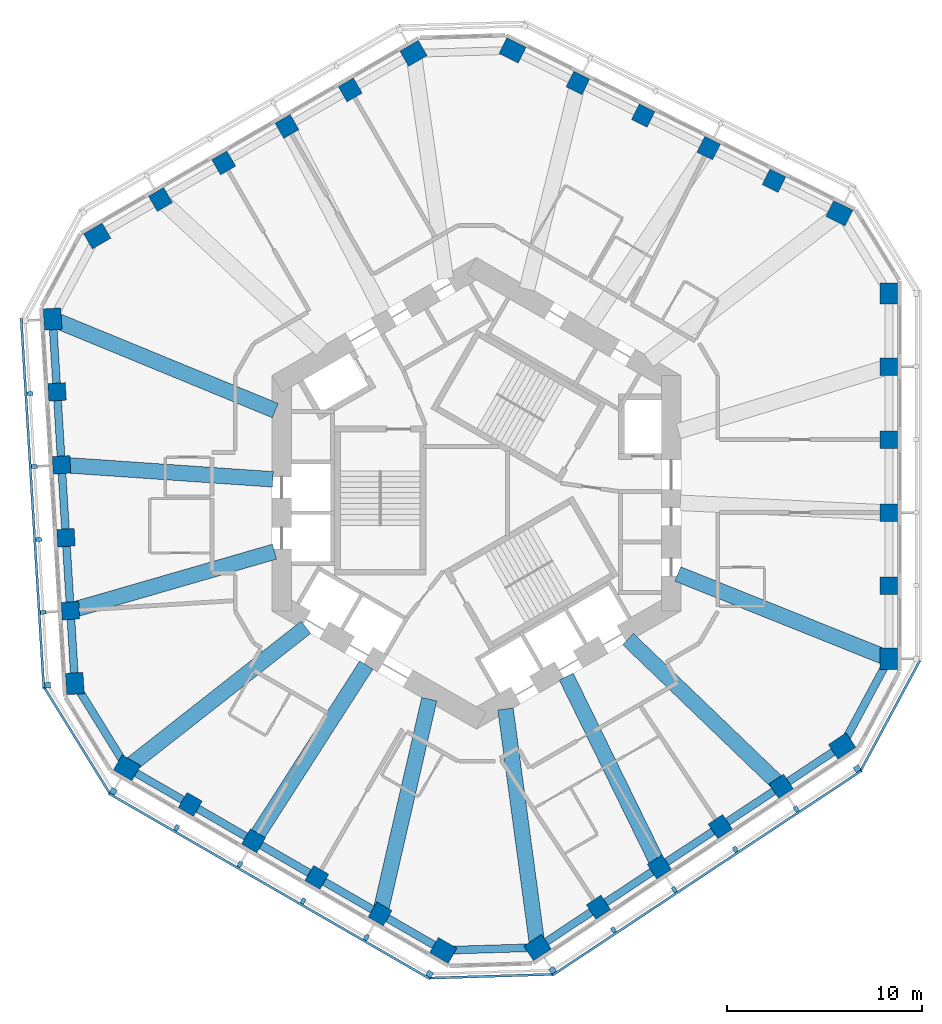
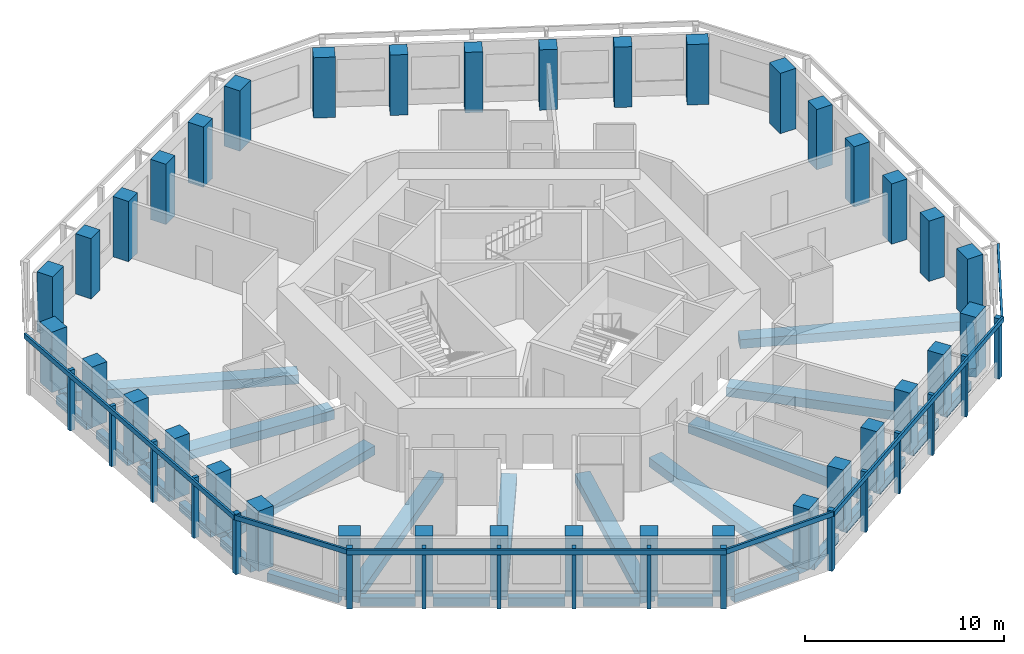
# One storey, part 1 of 11: 36 columns, 28 beams, 23 members, 6 elements without a shape of their own.
"""IFC4 building model written with IfcOpenShell, lengths in metres."""

from ifc_helpers import new_model, si_unit, direction, frame, origin, origin_2d, place, context, subcontext, project, spatial, rectangle, extrude, material, material_profile, profile_set, type_object, element, aggregate, save


model = new_model("IFC4")

# Units and contexts
model_context = context("Model", 3, precision=1e-05, world=origin(), true_north=direction((0.0, 1.0)))
body_context = subcontext(model_context, "Body", "Model", "MODEL_VIEW")
ifc_project = project(units=[si_unit("LENGTHUNIT", "METRE"), si_unit("AREAUNIT", "SQUARE_METRE"), si_unit("VOLUMEUNIT", "CUBIC_METRE"), si_unit("PLANEANGLEUNIT", "RADIAN"), si_unit("MASSUNIT", "GRAM", prefix="KILO")], contexts=[model_context])

# Site, building, storey
site_placement = place(None, origin())
site = spatial("IfcSite", under=ifc_project, at=site_placement, CompositionType="ELEMENT")
building_placement = place(site_placement, origin())
building = spatial("IfcBuilding", under=site, at=building_placement, Name="Vanh Sen Convention Tower", CompositionType="ELEMENT")
storey_placement = place(building_placement, frame((0.0, 0.0, 198.39990234375)))
storey = spatial("IfcBuildingStorey", under=building, at=storey_placement, Name="L49", CompositionType="ELEMENT", Elevation=198.39990234375)

# Columns
ifc_material_1 = material(Name="Concrete C80/95", Category="concrete")
ifc_material_profile_1 = material_profile(ifc_material_1, rectangle(XDim=0.89990234375, YDim=0.89990234375, at=origin_2d()), Name="RC 900X900")
ifc_profile_set_1 = profile_set([ifc_material_profile_1], Name="Concrete C80/95")
column_type_1 = type_object("IfcColumnType", Name="Facade column 900 x 900 C80/95", PredefinedType="COLUMN", material=ifc_profile_set_1)
for number, where, z_axis, x_axis, name in (
    (1, (21.199951171875, -4.746826171875, 0.0), (0.0, 0.0, 1.0), (0.0, 1.0, 0.0), "Facade column 02 L49"),
    (2, (21.199951171875, -0.992919921875, 0.0), (0.0, 0.0, 1.0), (0.0, 1.0, 0.0), "Facade column 03 L49"),
    (3, (21.199951171875, 2.76123046875, 0.0), (0.0, 0.0, 1.0), (0.0, 1.0, 0.0), "Facade column 04 L49"),
    (4, (21.199951171875, 6.515380859375, 0.0), (0.0, 0.0, 1.0), (0.0, 1.0, 0.0), "Facade column 05 L49"),
    (5, (15.290283203125, 16.0654296875, 0.0), (0.0, 0.0, 1.0), (-0.894934361602, 0.44619781311, 0.0), "Facade column 08 L49"),
    (6, (11.9306640625, 17.740478515625, 0.0), (0.0, 0.0, 1.0), (-0.894934361602, 0.44619781311, 0.0), "Facade column 09 L49"),
    (7, (8.57080078125, 19.41552734375, 0.0), (0.0, 0.0, 1.0), (-0.894934361602, 0.44619781311, 0.0), "Facade column 10 L49"),
    (8, (5.211181640625, 21.0908203125, 0.0), (0.0, 0.0, 1.0), (-0.894934361602, 0.44619781311, 0.0), "Facade column 11 L49"),
    (9, (-6.489013671875, 20.733154296875, 0.0), (0.0, 0.0, 1.0), (-0.866025403784, -0.5, 0.0), "Facade column 14 L49"),
    (10, (-9.740234375, 18.856201171875, 0.0), (0.0, 0.0, 1.0), (-0.866025403784, -0.5, 0.0), "Facade column 15 L49"),
    (11, (-12.991455078125, 16.97900390625, 0.0), (0.0, 0.0, 1.0), (-0.866025403784, -0.5, 0.0), "Facade column 16 L49"),
    (12, (-16.242431640625, 15.10205078125, 0.0), (0.0, 0.0, 1.0), (-0.866025403784, -0.5, 0.0), "Facade column 17 L49"),
    (13, (-21.55810546875, 5.208984375, 0.0), (0.0, 0.0, 1.0), (0.061048539535, -0.998134798422, 0.0), "Facade column 20 L49"),
    (14, (-21.3291015625, 1.4619140625, 0.0), (0.0, 0.0, 1.0), (0.061048539535, -0.998134798422, 0.0), "Facade column 21 L49"),
    (15, (-21.099853515625, -2.28515625, 0.0), (0.0, 0.0, 1.0), (0.061048539535, -0.998134798422, 0.0), "Facade column 22 L49"),
    (16, (-20.87060546875, -6.0322265625, 0.0), (0.0, 0.0, 1.0), (0.061048539535, -0.998134798422, 0.0), "Facade column 23 L49"),
    (17, (-14.7109375, -15.986328125, 0.0), (0.0, 0.0, 1.0), (0.866025403784, -0.5, 0.0), "Facade column 26 L49"),
    (18, (-11.459716796875, -17.86328125, 0.0), (0.0, 0.0, 1.0), (0.866025403784, -0.5, 0.0), "Facade column 27 L49"),
    (19, (-8.20849609375, -19.740478515625, 0.0), (0.0, 0.0, 1.0), (0.866025403784, -0.5, 0.0), "Facade column 28 L49"),
    (20, (-4.95751953125, -21.617431640625, 0.0), (0.0, 0.0, 1.0), (0.866025403784, -0.5, 0.0), "Facade column 29 L49"),
    (21, (6.267822265625, -21.2744140625, 0.0), (0.0, 0.0, 1.0), (0.833885822067, 0.551936985312, 0.0), "Facade column 32 L49"),
    (22, (9.3984375, -19.202392578125, 0.0), (0.0, 0.0, 1.0), (0.833885822067, 0.551936985312, 0.0), "Facade column 33 L49"),
    (23, (12.52880859375, -17.13037109375, 0.0), (0.0, 0.0, 1.0), (0.833885822067, 0.551936985312, 0.0), "Facade column 34 L49"),
    (24, (15.659423828125, -15.058349609375, 0.0), (0.0, 0.0, 1.0), (0.833885822067, 0.551936985312, 0.0), "Facade column 35 L49"),
):
    element("IfcColumn", number, at=place(storey_placement, frame(where, z_axis=z_axis, x_axis=x_axis)), inside=storey, type_object=column_type_1, Name=name, PredefinedType="COLUMN", context=body_context, shape_type="SweptSolid", body=[
        extrude(rectangle(XDim=0.89990234375, YDim=0.89990234375, at=origin_2d()), origin(), (0.0, 0.0, 1.0), 3.7001953125),
    ])
ifc_material_profile_2 = material_profile(ifc_material_1, rectangle(XDim=1.10009765625, YDim=0.89990234375, at=origin_2d()), Name="RC 1100X900")
ifc_profile_set_2 = profile_set([ifc_material_profile_2], Name="Concrete C80/95")
column_type_2 = type_object("IfcColumnType", Name="Facade corner column 1100 x 900 C80/95", PredefinedType="COLUMN", material=ifc_profile_set_2)
for number, where, z_axis, x_axis, name in (
    (25, (21.199951171875, -8.5009765625, 0.0), (0.0, 0.0, 1.0), (0.0, 1.0, 0.0), "Facade column 01 L49"),
    (26, (21.199951171875, 10.26953125, 0.0), (0.0, 0.0, 1.0), (0.0, 1.0, 0.0), "Facade column 06 L49"),
    (27, (18.64990234375, 14.390380859375, 0.0), (0.0, 0.0, 1.0), (-0.894934361602, 0.44619781311, 0.0), "Facade column 07 L49"),
    (28, (1.8515625, 22.765625, 0.0), (0.0, 0.0, 1.0), (-0.894934361602, 0.44619781311, 0.0), "Facade column 12 L49"),
    (29, (-3.23779296875, 22.610107421875, 0.0), (0.0, 0.0, 1.0), (-0.866025403784, -0.5, 0.0), "Facade column 13 L49"),
    (30, (-19.49365234375, 13.22509765625, 0.0), (0.0, 0.0, 1.0), (-0.866025403784, -0.5, 0.0), "Facade column 18 L49"),
    (31, (-21.787353515625, 8.956298828125, 0.0), (0.0, 0.0, 1.0), (0.061048539535, -0.998134798422, 0.0), "Facade column 19 L49"),
    (32, (-20.6416015625, -9.779296875, 0.0), (0.0, 0.0, 1.0), (0.061048539535, -0.998134798422, 0.0), "Facade column 24 L49"),
    (33, (-17.962158203125, -14.109130859375, 0.0), (0.0, 0.0, 1.0), (0.866025403784, -0.5, 0.0), "Facade column 25 L49"),
    (34, (-1.706298828125, -23.494384765625, 0.0), (0.0, 0.0, 1.0), (0.866025403784, -0.5, 0.0), "Facade column 30 L49"),
    (35, (3.137451171875, -23.346435546875, 0.0), (0.0, 0.0, 1.0), (0.833885822067, 0.551936985312, 0.0), "Facade column 31 L49"),
    (36, (18.789794921875, -12.986328125, 0.0), (0.0, 0.0, 1.0), (0.833885822067, 0.551936985312, 0.0), "Facade column 36 L49"),
):
    element("IfcColumn", number, at=place(storey_placement, frame(where, z_axis=z_axis, x_axis=x_axis)), inside=storey, type_object=column_type_2, Name=name, PredefinedType="COLUMN", context=body_context, shape_type="SweptSolid", body=[
        extrude(rectangle(XDim=1.10009765625, YDim=0.89990234375, at=origin_2d()), origin(), (0.0, 0.0, 1.0), 3.7001953125),
    ])

# Curtain wall, member
ifc_material_2 = material(Name="Concrete C50/60", Category="concrete")
curtain_wall_type = type_object("IfcCurtainWallType", Name="Outer skin office zone", PredefinedType="NOTDEFINED", material=ifc_material_2)
curtain_wall_1_placement = place(storey_placement, origin())
curtain_wall_1 = element("IfcCurtainWall", 37, at=curtain_wall_1_placement, inside=storey, type_object=curtain_wall_type, Name="OUTER SKIN W L49", PredefinedType="NOTDEFINED")
ifc_material_profile_3 = material_profile(ifc_material_2, rectangle(XDim=0.300048828125, YDim=0.300048828125, at=origin_2d()), Name="Outer skin precast corner fin 300 x 300")
ifc_profile_set_3 = profile_set([ifc_material_profile_3], Name="Concrete C50/60")
member_type_1 = type_object("IfcMemberType", Name="Outer skin precast corner fin 300 x 300", PredefinedType="MULLION", material=ifc_profile_set_3)
member_1_placement = place(storey_placement, frame((-22.038818359375, -9.864990234375, 0.0), z_axis=(0.0, 0.0, 1.0), x_axis=(0.061048539535, -0.998134798422, 0.0)))
member_1 = element("IfcMember", 38, at=member_1_placement, type_object=member_type_1, Name="OUTER SKIN CORNER FIN 6 W L49", PredefinedType="MULLION", context=body_context, shape_type="SweptSolid", body=[
    extrude(rectangle(XDim=0.300048828125, YDim=0.300048828125, at=origin_2d()), origin(), (0.0, 0.0, 1.0), 3.7001953125),
])

# Curtain wall, members
curtain_wall_2_placement = place(storey_placement, origin())
curtain_wall_2 = element("IfcCurtainWall", 39, at=curtain_wall_2_placement, inside=storey, type_object=curtain_wall_type, Name="OUTER SKIN SW L49", PredefinedType="NOTDEFINED")
member_2_placement = place(storey_placement, frame((-18.662109375, -15.321533203125, 0.0), z_axis=(0.0, 0.0, 1.0), x_axis=(0.866025403784, -0.5, 0.0)))
member_2 = element("IfcMember", 40, at=member_2_placement, type_object=member_type_1, Name="OUTER SKIN CORNER FIN 1 SW L49", PredefinedType="MULLION", context=body_context, shape_type="SweptSolid", body=[
    extrude(rectangle(XDim=0.300048828125, YDim=0.300048828125, at=origin_2d()), origin(), (0.0, 0.0, 1.0), 3.7001953125),
])
member_3_placement = place(storey_placement, frame((-2.40625, -24.706787109375, 0.0), z_axis=(0.0, 0.0, 1.0), x_axis=(0.866025403784, -0.5, 0.0)))
member_3 = element("IfcMember", 41, at=member_3_placement, type_object=member_type_1, Name="OUTER SKIN CORNER FIN 6 SW L49", PredefinedType="MULLION", context=body_context, shape_type="SweptSolid", body=[
    extrude(rectangle(XDim=0.300048828125, YDim=0.300048828125, at=origin_2d()), origin(), (0.0, 0.0, 1.0), 3.7001953125),
])

curtain_wall_3_placement = place(storey_placement, origin())
curtain_wall_3 = element("IfcCurtainWall", 42, at=curtain_wall_3_placement, inside=storey, type_object=curtain_wall_type, Name="OUTER SKIN SE L49", PredefinedType="NOTDEFINED")
member_4_placement = place(storey_placement, frame((3.91015625, -24.513916015625, 0.0), z_axis=(0.0, 0.0, 1.0), x_axis=(0.833885822067, 0.551936985312, 0.0)))
member_4 = element("IfcMember", 43, at=member_4_placement, type_object=member_type_1, Name="OUTER SKIN CORNER FIN 1 SE L49", PredefinedType="MULLION", context=body_context, shape_type="SweptSolid", body=[
    extrude(rectangle(XDim=0.300048828125, YDim=0.300048828125, at=origin_2d()), origin(), (0.0, 0.0, 1.0), 3.7001953125),
])
member_5_placement = place(storey_placement, frame((19.5625, -14.15380859375, 0.0), z_axis=(0.0, 0.0, 1.0), x_axis=(0.833885822067, 0.551936985312, 0.0)))
member_5 = element("IfcMember", 44, at=member_5_placement, type_object=member_type_1, Name="OUTER SKIN CORNER FIN 6 SE L49", PredefinedType="MULLION", context=body_context, shape_type="SweptSolid", body=[
    extrude(rectangle(XDim=0.300048828125, YDim=0.300048828125, at=origin_2d()), origin(), (0.0, 0.0, 1.0), 3.7001953125),
])

# Member
ifc_material_profile_4 = material_profile(ifc_material_2, rectangle(XDim=0.199951171875, YDim=0.300048828125, at=origin_2d()), Name="Outer skin precast fin 200 x 300")
ifc_profile_set_4 = profile_set([ifc_material_profile_4], Name="Concrete C50/60")
member_type_2 = type_object("IfcMemberType", Name="Outer skin precast fin 200 x 300", PredefinedType="MULLION", material=ifc_profile_set_4)
member_6_placement = place(storey_placement, frame((-22.95556640625, 5.12353515625, 0.0), z_axis=(0.0, 0.0, 1.0), x_axis=(0.061048539535, -0.998134798422, 0.0)))
member_6 = element("IfcMember", 45, at=member_6_placement, type_object=member_type_2, Name="OUTER SKIN fin 2 W L49", PredefinedType="MULLION", context=body_context, shape_type="SweptSolid", body=[
    extrude(rectangle(XDim=0.199951171875, YDim=0.300048828125, at=origin_2d()), origin(), (0.0, 0.0, 1.0), 3.7001953125),
])

member_7_placement = place(storey_placement, frame((-22.726318359375, 1.37646484375, 0.0), z_axis=(0.0, 0.0, 1.0), x_axis=(0.061048539535, -0.998134798422, 0.0)))
member_7 = element("IfcMember", 46, at=member_7_placement, type_object=member_type_2, Name="OUTER SKIN fin 3 W L49", PredefinedType="MULLION", context=body_context, shape_type="SweptSolid", body=[
    extrude(rectangle(XDim=0.199951171875, YDim=0.300048828125, at=origin_2d()), origin(), (0.0, 0.0, 1.0), 3.7001953125),
])

member_8_placement = place(storey_placement, frame((-22.497314453125, -2.37060546875, 0.0), z_axis=(0.0, 0.0, 1.0), x_axis=(0.061048539535, -0.998134798422, 0.0)))
member_8 = element("IfcMember", 47, at=member_8_placement, type_object=member_type_2, Name="OUTER SKIN fin 4 W L49", PredefinedType="MULLION", context=body_context, shape_type="SweptSolid", body=[
    extrude(rectangle(XDim=0.199951171875, YDim=0.300048828125, at=origin_2d()), origin(), (0.0, 0.0, 1.0), 3.7001953125),
])

member_9_placement = place(storey_placement, frame((-22.26806640625, -6.117919921875, 0.0), z_axis=(0.0, 0.0, 1.0), x_axis=(0.061048539535, -0.998134798422, 0.0)))
member_9 = element("IfcMember", 48, at=member_9_placement, type_object=member_type_2, Name="OUTER SKIN fin 5 W L49", PredefinedType="MULLION", context=body_context, shape_type="SweptSolid", body=[
    extrude(rectangle(XDim=0.199951171875, YDim=0.300048828125, at=origin_2d()), origin(), (0.0, 0.0, 1.0), 3.7001953125),
])

member_10_placement = place(storey_placement, frame((-15.410888671875, -17.19873046875, 0.0), z_axis=(0.0, 0.0, 1.0), x_axis=(0.866025403784, -0.5, 0.0)))
member_10 = element("IfcMember", 49, at=member_10_placement, type_object=member_type_2, Name="OUTER SKIN fin 2 SW L49", PredefinedType="MULLION", context=body_context, shape_type="SweptSolid", body=[
    extrude(rectangle(XDim=0.199951171875, YDim=0.300048828125, at=origin_2d()), origin(), (0.0, 0.0, 1.0), 3.7001953125),
])

member_11_placement = place(storey_placement, frame((-12.159912109375, -19.07568359375, 0.0), z_axis=(0.0, 0.0, 1.0), x_axis=(0.866025403784, -0.5, 0.0)))
member_11 = element("IfcMember", 50, at=member_11_placement, type_object=member_type_2, Name="OUTER SKIN fin 3 SW L49", PredefinedType="MULLION", context=body_context, shape_type="SweptSolid", body=[
    extrude(rectangle(XDim=0.199951171875, YDim=0.300048828125, at=origin_2d()), origin(), (0.0, 0.0, 1.0), 3.7001953125),
])

member_12_placement = place(storey_placement, frame((-8.90869140625, -20.952880859375, 0.0), z_axis=(0.0, 0.0, 1.0), x_axis=(0.866025403784, -0.5, 0.0)))
member_12 = element("IfcMember", 51, at=member_12_placement, type_object=member_type_2, Name="OUTER SKIN fin 4 SW L49", PredefinedType="MULLION", context=body_context, shape_type="SweptSolid", body=[
    extrude(rectangle(XDim=0.199951171875, YDim=0.300048828125, at=origin_2d()), origin(), (0.0, 0.0, 1.0), 3.7001953125),
])

member_13_placement = place(storey_placement, frame((-5.657470703125, -22.829833984375, 0.0), z_axis=(0.0, 0.0, 1.0), x_axis=(0.866025403784, -0.5, 0.0)))
member_13 = element("IfcMember", 52, at=member_13_placement, type_object=member_type_2, Name="OUTER SKIN fin 5 SW L49", PredefinedType="MULLION", context=body_context, shape_type="SweptSolid", body=[
    extrude(rectangle(XDim=0.199951171875, YDim=0.300048828125, at=origin_2d()), origin(), (0.0, 0.0, 1.0), 3.7001953125),
])

member_14_placement = place(storey_placement, frame((7.04052734375, -22.44189453125, 0.0), z_axis=(0.0, 0.0, 1.0), x_axis=(0.833885822067, 0.551936985312, 0.0)))
member_14 = element("IfcMember", 53, at=member_14_placement, type_object=member_type_2, Name="OUTER SKIN fin 2 SE L49", PredefinedType="MULLION", context=body_context, shape_type="SweptSolid", body=[
    extrude(rectangle(XDim=0.199951171875, YDim=0.300048828125, at=origin_2d()), origin(), (0.0, 0.0, 1.0), 3.7001953125),
])

member_15_placement = place(storey_placement, frame((10.171142578125, -20.369873046875, 0.0), z_axis=(0.0, 0.0, 1.0), x_axis=(0.833885822067, 0.551936985312, 0.0)))
member_15 = element("IfcMember", 54, at=member_15_placement, type_object=member_type_2, Name="OUTER SKIN fin 3 SE L49", PredefinedType="MULLION", context=body_context, shape_type="SweptSolid", body=[
    extrude(rectangle(XDim=0.199951171875, YDim=0.300048828125, at=origin_2d()), origin(), (0.0, 0.0, 1.0), 3.7001953125),
])

member_16_placement = place(storey_placement, frame((13.301513671875, -18.2978515625, 0.0), z_axis=(0.0, 0.0, 1.0), x_axis=(0.833885822067, 0.551936985312, 0.0)))
member_16 = element("IfcMember", 55, at=member_16_placement, type_object=member_type_2, Name="OUTER SKIN fin 4 SE L49", PredefinedType="MULLION", context=body_context, shape_type="SweptSolid", body=[
    extrude(rectangle(XDim=0.199951171875, YDim=0.300048828125, at=origin_2d()), origin(), (0.0, 0.0, 1.0), 3.7001953125),
])

member_17_placement = place(storey_placement, frame((16.43212890625, -16.225830078125, 0.0), z_axis=(0.0, 0.0, 1.0), x_axis=(0.833885822067, 0.551936985312, 0.0)))
member_17 = element("IfcMember", 56, at=member_17_placement, type_object=member_type_2, Name="OUTER SKIN fin 5 SE L49", PredefinedType="MULLION", context=body_context, shape_type="SweptSolid", body=[
    extrude(rectangle(XDim=0.199951171875, YDim=0.300048828125, at=origin_2d()), origin(), (0.0, 0.0, 1.0), 3.7001953125),
])

ifc_material_profile_5 = material_profile(ifc_material_2, rectangle(XDim=0.1201171875, YDim=0.300048828125, at=origin_2d()), Name="Outer skin precast spandrel band 300 x 120")
ifc_profile_set_5 = profile_set([ifc_material_profile_5], Name="Concrete C50/60")
member_type_3 = type_object("IfcMemberType", Name="Outer skin precast spandrel band 300 x 120", PredefinedType="USERDEFINED", material=ifc_profile_set_5)
member_18_placement = place(storey_placement, frame((-23.403564453125, 9.007568359375, 3.550048828125), z_axis=(0.061052799403, -0.998134537868, 0.0), x_axis=(0.998134537868, 0.061052799403, 0.0)))
member_18 = element("IfcMember", 57, at=member_18_placement, type_object=member_type_3, Name="OUTER SKIN spandrel band W L49", ObjectType="TRANSOM", PredefinedType="USERDEFINED", context=body_context, shape_type="SweptSolid", body=[
    extrude(rectangle(XDim=0.1201171875, YDim=0.300048828125, at=origin_2d()), origin(), (0.0, 0.0, 1.0), 19.070556640625),
])

aggregate(curtain_wall_1, [member_6, member_7, member_8, member_9, member_1, member_18])

# Curtain wall, member
curtain_wall_4_placement = place(storey_placement, origin())
curtain_wall_4 = element("IfcCurtainWall", 58, at=curtain_wall_4_placement, inside=storey, type_object=curtain_wall_type, Name="OUTER SKIN CH4 L49", PredefinedType="NOTDEFINED")
member_19_placement = place(storey_placement, frame((-22.217529296875, -9.975341796875, 3.550048828125), z_axis=(0.526207913146, -0.85035594438, 0.0), x_axis=(0.85035594438, 0.526207913146, 0.0)))
member_19 = element("IfcMember", 59, at=member_19_placement, type_object=member_type_3, Name="OUTER SKIN spandrel band CH4 L49", ObjectType="TRANSOM", PredefinedType="USERDEFINED", context=body_context, shape_type="SweptSolid", body=[
    extrude(rectangle(XDim=0.1201171875, YDim=0.300048828125, at=origin_2d()), origin(), (0.0, 0.0, 1.0), 6.4169921875),
])
aggregate(curtain_wall_4, [member_19])

# Member
member_20_placement = place(storey_placement, frame((-18.89697265625, -15.428466796875, 3.550048828125), z_axis=(0.866023136587, -0.500003926881, 0.0), x_axis=(0.500003926881, 0.866023136587, 0.0)))
member_20 = element("IfcMember", 60, at=member_20_placement, type_object=member_type_3, Name="OUTER SKIN spandrel band SW L49", ObjectType="TRANSOM", PredefinedType="USERDEFINED", context=body_context, shape_type="SweptSolid", body=[
    extrude(rectangle(XDim=0.1201171875, YDim=0.300048828125, at=origin_2d()), origin(), (0.0, 0.0, 1.0), 19.070556640625),
])

aggregate(curtain_wall_2, [member_2, member_10, member_11, member_12, member_13, member_3, member_20])

# Curtain wall, member
curtain_wall_5_placement = place(storey_placement, origin())
curtain_wall_5 = element("IfcCurtainWall", 61, at=curtain_wall_5_placement, inside=storey, type_object=curtain_wall_type, Name="OUTER SKIN CH5 L49", PredefinedType="NOTDEFINED")
member_21_placement = place(storey_placement, frame((-2.39990234375, -24.916748046875, 3.550048828125), z_axis=(0.99953413443, 0.030520716071, 0.0), x_axis=(-0.030520716071, 0.99953413443, 0.0)))
member_21 = element("IfcMember", 62, at=member_21_placement, type_object=member_type_3, Name="OUTER SKIN spandrel band CH5 L49", ObjectType="TRANSOM", PredefinedType="USERDEFINED", context=body_context, shape_type="SweptSolid", body=[
    extrude(rectangle(XDim=0.1201171875, YDim=0.300048828125, at=origin_2d()), origin(), (0.0, 0.0, 1.0), 6.3193359375),
])
aggregate(curtain_wall_5, [member_21])

# Member
member_22_placement = place(storey_placement, frame((3.90087890625, -24.771728515625, 3.550048828125), z_axis=(0.833891134859, 0.551928958475, 0.0), x_axis=(-0.551928958475, 0.833891134859, 0.0)))
member_22 = element("IfcMember", 63, at=member_22_placement, type_object=member_type_3, Name="OUTER SKIN spandrel band SE L49", ObjectType="TRANSOM", PredefinedType="USERDEFINED", context=body_context, shape_type="SweptSolid", body=[
    extrude(rectangle(XDim=0.1201171875, YDim=0.300048828125, at=origin_2d()), origin(), (0.0, 0.0, 1.0), 19.070556640625),
])

aggregate(curtain_wall_3, [member_4, member_14, member_15, member_16, member_17, member_5, member_22])

# Curtain wall, member
curtain_wall_6_placement = place(storey_placement, origin())
curtain_wall_6 = element("IfcCurtainWall", 64, at=curtain_wall_6_placement, inside=storey, type_object=curtain_wall_type, Name="OUTER SKIN CH6 L49", PredefinedType="NOTDEFINED")
member_23_placement = place(storey_placement, frame((19.74755859375, -14.253173828125, 3.550048828125), z_axis=(0.473316922434, 0.880892213008, 0.0), x_axis=(-0.880892213008, 0.473316922434, 0.0)))
member_23 = element("IfcMember", 65, at=member_23_placement, type_object=member_type_3, Name="OUTER SKIN spandrel band CH6 L49", ObjectType="TRANSOM", PredefinedType="USERDEFINED", context=body_context, shape_type="SweptSolid", body=[
    extrude(rectangle(XDim=0.1201171875, YDim=0.300048828125, at=origin_2d()), origin(), (0.0, 0.0, 1.0), 6.417236328125),
])
aggregate(curtain_wall_6, [member_23])

# Beams
ifc_material_3 = material(Name="Concrete C50/60", Category="concrete")
ifc_material_profile_6 = material_profile(ifc_material_3, rectangle(XDim=0.800048828125, YDim=0.550048828125, at=origin_2d()), Name="RC 800X550")
ifc_profile_set_6 = profile_set([ifc_material_profile_6], Name="Concrete C50/60")
beam_type_1 = type_object("IfcBeamType", Name="Radial floor beam 800 x 550", PredefinedType="BEAM", material=ifc_profile_set_6)
beam_1_placement = place(storey_placement, frame((20.903564453125, -8.382080078125, -0.554931640625), z_axis=(-0.928156603648, 0.372189896565, 0.0), x_axis=(-0.372189896565, -0.928156603648, 0.0)))
element("IfcBeam", 66, at=beam_1_placement, inside=storey, type_object=beam_type_1, Name="Radial beam 01 L49", PredefinedType="BEAM", context=body_context, shape_type="SweptSolid", body=[
    extrude(rectangle(XDim=0.800048828125, YDim=0.550048828125, at=origin_2d()), origin(), (0.0, 0.0, 1.0), 11.374267578125),
])
beam_2_placement = place(storey_placement, frame((-21.5087890625, 8.841796875, -0.554931640625), z_axis=(0.924896155716, -0.38021980635, 0.0), x_axis=(0.38021980635, 0.924896155716, 0.0)))
element("IfcBeam", 67, at=beam_2_placement, inside=storey, type_object=beam_type_1, Name="Radial beam 10 L49", PredefinedType="BEAM", context=body_context, shape_type="SweptSolid", body=[
    extrude(rectangle(XDim=0.800048828125, YDim=0.550048828125, at=origin_2d()), origin(), (0.0, 0.0, 1.0), 12.072265625),
])
beam_3_placement = place(storey_placement, frame((-20.93310546875, 1.434814453125, -0.554931640625), z_axis=(0.997659434277, -0.068378748143, 0.0), x_axis=(0.068378748143, 0.997659434277, 0.0)))
element("IfcBeam", 68, at=beam_3_placement, inside=storey, type_object=beam_type_1, Name="Radial beam 11 L49", PredefinedType="BEAM", context=body_context, shape_type="SweptSolid", body=[
    extrude(rectangle(XDim=0.800048828125, YDim=0.550048828125, at=origin_2d()), origin(), (0.0, 0.0, 1.0), 10.489990234375),
])
beam_4_placement = place(storey_placement, frame((-20.61328125, -5.9580078125, -0.554931640625), z_axis=(0.96067232832, 0.277684492906, 0.0), x_axis=(-0.277684492906, 0.96067232832, 0.0)))
element("IfcBeam", 69, at=beam_4_placement, inside=storey, type_object=beam_type_1, Name="Radial beam 12 L49", PredefinedType="BEAM", context=body_context, shape_type="SweptSolid", body=[
    extrude(rectangle(XDim=0.800048828125, YDim=0.550048828125, at=origin_2d()), origin(), (0.0, 0.0, 1.0), 10.64794921875),
])
beam_5_placement = place(storey_placement, frame((-17.7109375, -13.911865234375, -0.554931640625), z_axis=(0.786403987122, 0.617712529449, 0.0), x_axis=(-0.617712529449, 0.786403987122, 0.0)))
element("IfcBeam", 70, at=beam_5_placement, inside=storey, type_object=beam_type_1, Name="Radial beam 13 L49", PredefinedType="BEAM", context=body_context, shape_type="SweptSolid", body=[
    extrude(rectangle(XDim=0.800048828125, YDim=0.550048828125, at=origin_2d()), origin(), (0.0, 0.0, 1.0), 11.3740234375),
])
beam_6_placement = place(storey_placement, frame((-11.2294921875, -17.504150390625, -0.554931640625), z_axis=(0.539967356894, 0.841685958947, 0.0), x_axis=(-0.841685958947, 0.539967356894, 0.0)))
element("IfcBeam", 71, at=beam_6_placement, inside=storey, type_object=beam_type_1, Name="Radial beam 14 L49", PredefinedType="BEAM", context=body_context, shape_type="SweptSolid", body=[
    extrude(rectangle(XDim=0.800048828125, YDim=0.550048828125, at=origin_2d()), origin(), (0.0, 0.0, 1.0), 10.308837890625),
])
beam_7_placement = place(storey_placement, frame((-4.9072265625, -21.39794921875, -0.554931640625), z_axis=(0.223532057965, 0.974696577947, 0.0), x_axis=(-0.974696577947, 0.223532057965, 0.0)))
element("IfcBeam", 72, at=beam_7_placement, inside=storey, type_object=beam_type_1, Name="Radial beam 15 L49", PredefinedType="BEAM", context=body_context, shape_type="SweptSolid", body=[
    extrude(rectangle(XDim=0.800048828125, YDim=0.550048828125, at=origin_2d()), origin(), (0.0, 0.0, 1.0), 11.0966796875),
])
beam_8_placement = place(storey_placement, frame((3.097412109375, -23.0478515625, -0.554931640625), z_axis=(-0.133194270132, 0.991089948695, 0.0), x_axis=(-0.991089948695, -0.133194270132, 0.0)))
element("IfcBeam", 73, at=beam_8_placement, inside=storey, type_object=beam_type_1, Name="Radial beam 16 L49", PredefinedType="BEAM", context=body_context, shape_type="SweptSolid", body=[
    extrude(rectangle(XDim=0.800048828125, YDim=0.550048828125, at=origin_2d()), origin(), (0.0, 0.0, 1.0), 12.072021484375),
])
beam_9_placement = place(storey_placement, frame((9.22412109375, -18.84619140625, -0.554931640625), z_axis=(-0.439610391955, 0.898188567777, 0.0), x_axis=(-0.898188567777, -0.439610391955, 0.0)))
element("IfcBeam", 74, at=beam_9_placement, inside=storey, type_object=beam_type_1, Name="Radial beam 17 L49", PredefinedType="BEAM", context=body_context, shape_type="SweptSolid", body=[
    extrude(rectangle(XDim=0.800048828125, YDim=0.550048828125, at=origin_2d()), origin(), (0.0, 0.0, 1.0), 10.490234375),
])
beam_10_placement = place(storey_placement, frame((15.46630859375, -14.87255859375, -0.554931640625), z_axis=(-0.720808831616, 0.693133917987, 0.0), x_axis=(-0.693133917987, -0.720808831616, 0.0)))
element("IfcBeam", 75, at=beam_10_placement, inside=storey, type_object=beam_type_1, Name="Radial beam 18 L49", PredefinedType="BEAM", context=body_context, shape_type="SweptSolid", body=[
    extrude(rectangle(XDim=0.800048828125, YDim=0.550048828125, at=origin_2d()), origin(), (0.0, 0.0, 1.0), 10.64794921875),
])
ifc_material_profile_7 = material_profile(ifc_material_3, rectangle(XDim=0.39990234375, YDim=0.5, at=origin_2d()), Name="RC 400X500")
ifc_profile_set_7 = profile_set([ifc_material_profile_7], Name="Concrete C50/60")
beam_type_2 = type_object("IfcBeamType", Name="Spandrel beam 400 x 500", PredefinedType="SPANDREL", material=ifc_profile_set_7)
beam_11_placement = place(storey_placement, frame((-21.754150390625, 8.412353515625, -0.52978515625), z_axis=(0.061031049006, -0.998135868035, 0.0), x_axis=(0.998135868035, 0.061031049006, 0.0)))
element("IfcBeam", 76, at=beam_11_placement, inside=storey, type_object=beam_type_2, Name="Spandrel beam 19 L49", PredefinedType="SPANDREL", context=body_context, shape_type="SweptSolid", body=[
    extrude(rectangle(XDim=0.39990234375, YDim=0.5, at=origin_2d()), origin(), (0.0, 0.0, 1.0), 2.76416015625),
])
for number, where, z_axis, x_axis, name in (
    (77, (-21.531005859375, 4.764892578125, -0.52978515625), (0.06103034265, -0.998135911225, 0.0), (0.998135911225, 0.06103034265, 0.0), "Spandrel beam 20 L49"),
    (78, (-21.3017578125, 1.017822265625, -0.52978515625), (0.06103034265, -0.998135911225, 0.0), (0.998135911225, 0.06103034265, 0.0), "Spandrel beam 21 L49"),
):
    element("IfcBeam", number, at=place(storey_placement, frame(where, z_axis=z_axis, x_axis=x_axis)), inside=storey, type_object=beam_type_2, Name=name, PredefinedType="SPANDREL", context=body_context, shape_type="SweptSolid", body=[
        extrude(rectangle(XDim=0.39990234375, YDim=0.5, at=origin_2d()), origin(), (0.0, 0.0, 1.0), 2.8642578125),
    ])
beam_12_placement = place(storey_placement, frame((-21.072509765625, -2.7294921875, -0.52978515625), z_axis=(0.060950607236, -0.998140783396, 0.0), x_axis=(0.998140783396, 0.060950607236, 0.0)))
element("IfcBeam", 79, at=beam_12_placement, inside=storey, type_object=beam_type_2, Name="Spandrel beam 22 L49", PredefinedType="SPANDREL", context=body_context, shape_type="SweptSolid", body=[
    extrude(rectangle(XDim=0.39990234375, YDim=0.5, at=origin_2d()), origin(), (0.0, 0.0, 1.0), 2.864013671875),
])
beam_13_placement = place(storey_placement, frame((-20.843505859375, -6.476318359375, -0.52978515625), z_axis=(0.061025669095, -0.998136196975, 0.0), x_axis=(0.998136196975, 0.061025669095, 0.0)))
element("IfcBeam", 80, at=beam_13_placement, inside=storey, type_object=beam_type_2, Name="Spandrel beam 23 L49", PredefinedType="SPANDREL", context=body_context, shape_type="SweptSolid", body=[
    extrude(rectangle(XDim=0.39990234375, YDim=0.5, at=origin_2d()), origin(), (0.0, 0.0, 1.0), 2.764404296875),
])
beam_14_placement = place(storey_placement, frame((-20.3720703125, -10.214599609375, -0.52978515625), z_axis=(0.526212046854, -0.850353386391, 0.0), x_axis=(0.850353386391, 0.526212046854, 0.0)))
element("IfcBeam", 81, at=beam_14_placement, inside=storey, type_object=beam_type_2, Name="Spandrel beam 24 L49", PredefinedType="SPANDREL", context=body_context, shape_type="SweptSolid", body=[
    extrude(rectangle(XDim=0.39990234375, YDim=0.5, at=origin_2d()), origin(), (0.0, 0.0, 1.0), 4.06787109375),
])
beam_15_placement = place(storey_placement, frame((-17.489990234375, -14.381591796875, -0.52978515625), z_axis=(0.865984073989, -0.500071578473, 0.0), x_axis=(0.500071578473, 0.865984073989, 0.0)))
element("IfcBeam", 82, at=beam_15_placement, inside=storey, type_object=beam_type_2, Name="Spandrel beam 25 L49", PredefinedType="SPANDREL", context=body_context, shape_type="SweptSolid", body=[
    extrude(rectangle(XDim=0.39990234375, YDim=0.5, at=origin_2d()), origin(), (0.0, 0.0, 1.0), 2.76416015625),
])
beam_16_placement = place(storey_placement, frame((-14.325439453125, -16.208740234375, -0.52978515625), z_axis=(0.865999615357, -0.500044664207, 0.0), x_axis=(0.500044664207, 0.865999615357, 0.0)))
element("IfcBeam", 83, at=beam_16_placement, inside=storey, type_object=beam_type_2, Name="Spandrel beam 26 L49", PredefinedType="SPANDREL", context=body_context, shape_type="SweptSolid", body=[
    extrude(rectangle(XDim=0.39990234375, YDim=0.5, at=origin_2d()), origin(), (0.0, 0.0, 1.0), 2.864013671875),
])
beam_17_placement = place(storey_placement, frame((-11.074462890625, -18.085693359375, -0.52978515625), z_axis=(0.866020927947, -0.500007752297, 0.0), x_axis=(0.500007752297, 0.866020927947, 0.0)))
element("IfcBeam", 84, at=beam_17_placement, inside=storey, type_object=beam_type_2, Name="Spandrel beam 27 L49", PredefinedType="SPANDREL", context=body_context, shape_type="SweptSolid", body=[
    extrude(rectangle(XDim=0.39990234375, YDim=0.5, at=origin_2d()), origin(), (0.0, 0.0, 1.0), 2.8642578125),
])
beam_18_placement = place(storey_placement, frame((-7.8232421875, -19.962890625, -0.52978515625), z_axis=(0.865999615357, -0.500044664207, 0.0), x_axis=(0.500044664207, 0.865999615357, 0.0)))
element("IfcBeam", 85, at=beam_18_placement, inside=storey, type_object=beam_type_2, Name="Spandrel beam 28 L49", PredefinedType="SPANDREL", context=body_context, shape_type="SweptSolid", body=[
    extrude(rectangle(XDim=0.39990234375, YDim=0.5, at=origin_2d()), origin(), (0.0, 0.0, 1.0), 2.864013671875),
])
beam_19_placement = place(storey_placement, frame((-4.572021484375, -21.840087890625, -0.52978515625), z_axis=(0.866060565847, -0.499939092575, 0.0), x_axis=(0.499939092575, 0.866060565847, 0.0)))
element("IfcBeam", 86, at=beam_19_placement, inside=storey, type_object=beam_type_2, Name="Spandrel beam 29 L49", PredefinedType="SPANDREL", context=body_context, shape_type="SweptSolid", body=[
    extrude(rectangle(XDim=0.39990234375, YDim=0.5, at=origin_2d()), origin(), (0.0, 0.0, 1.0), 2.763916015625),
])
beam_20_placement = place(storey_placement, frame((-1.1884765625, -23.478759765625, -0.52978515625), z_axis=(0.99953273371, 0.030566554301, 0.0), x_axis=(-0.030566554301, 0.99953273371, 0.0)))
element("IfcBeam", 87, at=beam_20_placement, inside=storey, type_object=beam_type_2, Name="Spandrel beam 30 L49", PredefinedType="SPANDREL", context=body_context, shape_type="SweptSolid", body=[
    extrude(rectangle(XDim=0.39990234375, YDim=0.5, at=origin_2d()), origin(), (0.0, 0.0, 1.0), 3.809814453125),
])
beam_21_placement = place(storey_placement, frame((3.591796875, -23.045654296875, -0.52978515625), z_axis=(0.833880195108, 0.551945486625, 0.0), x_axis=(-0.551945486625, 0.833880195108, 0.0)))
element("IfcBeam", 88, at=beam_21_placement, inside=storey, type_object=beam_type_2, Name="Spandrel beam 31 L49", PredefinedType="SPANDREL", context=body_context, shape_type="SweptSolid", body=[
    extrude(rectangle(XDim=0.39990234375, YDim=0.5, at=origin_2d()), origin(), (0.0, 0.0, 1.0), 2.76416015625),
])
beam_22_placement = place(storey_placement, frame((6.638916015625, -21.02880859375, -0.52978515625), z_axis=(0.83389470575, 0.551923563297, 0.0), x_axis=(-0.551923563297, 0.83389470575, 0.0)))
element("IfcBeam", 89, at=beam_22_placement, inside=storey, type_object=beam_type_2, Name="Spandrel beam 32 L49", PredefinedType="SPANDREL", context=body_context, shape_type="SweptSolid", body=[
    extrude(rectangle(XDim=0.39990234375, YDim=0.5, at=origin_2d()), origin(), (0.0, 0.0, 1.0), 2.8642578125),
])
beam_23_placement = place(storey_placement, frame((9.76953125, -18.956787109375, -0.52978515625), z_axis=(0.833868737461, 0.551962796469, 0.0), x_axis=(-0.551962796469, 0.833868737461, 0.0)))
element("IfcBeam", 90, at=beam_23_placement, inside=storey, type_object=beam_type_2, Name="Spandrel beam 33 L49", PredefinedType="SPANDREL", context=body_context, shape_type="SweptSolid", body=[
    extrude(rectangle(XDim=0.39990234375, YDim=0.5, at=origin_2d()), origin(), (0.0, 0.0, 1.0), 2.864013671875),
])
beam_24_placement = place(storey_placement, frame((12.89990234375, -16.884765625, -0.52978515625), z_axis=(0.83389470575, 0.551923563297, 0.0), x_axis=(-0.551923563297, 0.83389470575, 0.0)))
element("IfcBeam", 91, at=beam_24_placement, inside=storey, type_object=beam_type_2, Name="Spandrel beam 34 L49", PredefinedType="SPANDREL", context=body_context, shape_type="SweptSolid", body=[
    extrude(rectangle(XDim=0.39990234375, YDim=0.5, at=origin_2d()), origin(), (0.0, 0.0, 1.0), 2.8642578125),
])
beam_25_placement = place(storey_placement, frame((16.030517578125, -14.812744140625, -0.52978515625), z_axis=(0.833880195108, 0.551945486625, 0.0), x_axis=(-0.551945486625, 0.833880195108, 0.0)))
element("IfcBeam", 92, at=beam_25_placement, inside=storey, type_object=beam_type_2, Name="Spandrel beam 35 L49", PredefinedType="SPANDREL", context=body_context, shape_type="SweptSolid", body=[
    extrude(rectangle(XDim=0.39990234375, YDim=0.5, at=origin_2d()), origin(), (0.0, 0.0, 1.0), 2.76416015625),
])
beam_26_placement = place(storey_placement, frame((19.0322265625, -12.535400390625, -0.52978515625), z_axis=(0.473330196808, 0.880885080354, 0.0), x_axis=(-0.880885080354, 0.473330196808, 0.0)))
element("IfcBeam", 93, at=beam_26_placement, inside=storey, type_object=beam_type_2, Name="Spandrel beam 36 L49", PredefinedType="SPANDREL", context=body_context, shape_type="SweptSolid", body=[
    extrude(rectangle(XDim=0.39990234375, YDim=0.5, at=origin_2d()), origin(), (0.0, 0.0, 1.0), 4.068115234375),
])

save(model, "model.ifc")
